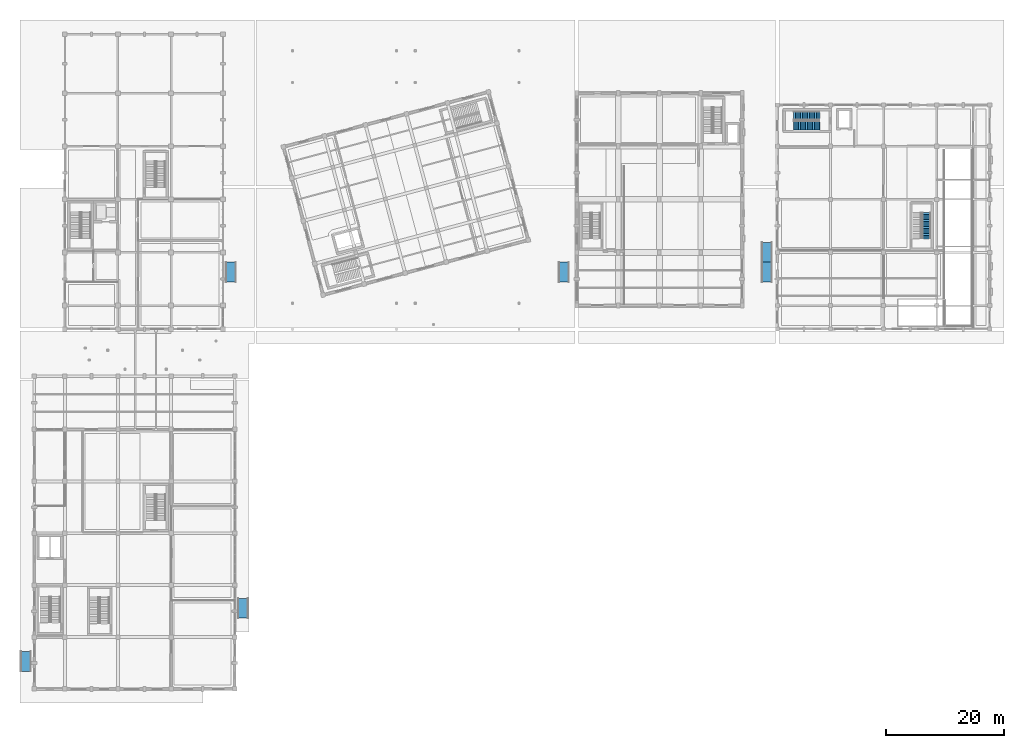
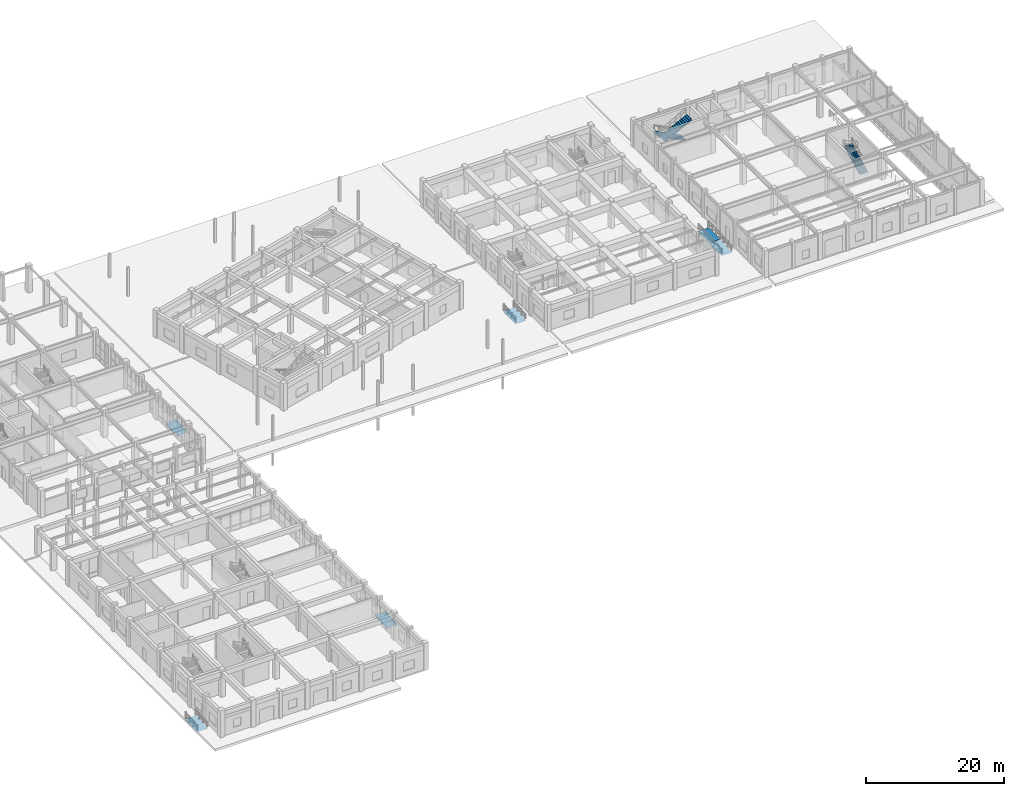
# One storey, part 42 of 47: 6 ramp flights, 3 stair flights, 8 elements without a shape of their own.
"""IFC4 building model written with IfcOpenShell, lengths in metres."""

from ifc_helpers import new_model, si_unit, direction, frame, origin, place, context, subcontext, project, spatial, polyline, outline, extrude, material, layer, layer_set, type_object, element, aggregate, save


model = new_model("IFC4")

# Units and contexts
model_context = context("Model", 3, precision=1e-05, world=origin(), true_north=direction((0.0, 1.0)))
body_context = subcontext(model_context, "Body", "Model", "MODEL_VIEW")
ifc_project = project(units=[si_unit("LENGTHUNIT", "METRE"), si_unit("AREAUNIT", "SQUARE_METRE"), si_unit("VOLUMEUNIT", "CUBIC_METRE"), si_unit("PLANEANGLEUNIT", "RADIAN"), si_unit("MASSUNIT", "GRAM", prefix="KILO")], contexts=[model_context])

# Site, building, storey
site_placement = place(None, origin())
site = spatial("IfcSite", under=ifc_project, at=site_placement, CompositionType="ELEMENT")
building_placement = place(site_placement, origin())
building = spatial("IfcBuilding", under=site, at=building_placement, Name="Ventoquebrada Cableway Terminal", CompositionType="ELEMENT")
storey_placement = place(building_placement, origin())
storey = spatial("IfcBuildingStorey", under=building, at=storey_placement, Name="L00", CompositionType="ELEMENT", Elevation=0.0)

# Stair, stair flights
ifc_material = material(Name="Concrete C40/50", Category="concrete")
stair_type_1 = type_object("IfcStairType", Name="ST-T09", PredefinedType="HALF_TURN_STAIR", material=ifc_material)
stair_1_placement = place(storey_placement, origin())
stair_1 = element("IfcStair", 1, at=stair_1_placement, inside=storey, type_object=stair_type_1, Name="Protected half-turn stair ST-26", PredefinedType="HALF_TURN_STAIR")
stair_flight_type_1 = type_object("IfcStairFlightType", Name="SF-T09", PredefinedType="STRAIGHT", material=ifc_material)
stair_flight_1_placement = place(storey_placement, frame((136.199951171875, 100.25, 0.0), z_axis=(0.0, 0.0, 1.0), x_axis=(-1.0, 0.0, 0.0)))
stair_flight_1 = element("IfcStairFlight", 2, at=stair_flight_1_placement, type_object=stair_flight_type_1, Name="Lower stair flight SF-051", NumberOfRisers=16, NumberOfTreads=15, PredefinedType="STRAIGHT", RiserHeight=0.15, TreadLength=0.3, context=body_context, shape_type="SweptSolid", body=[
    extrude(outline(polyline([(0.0, 0.0), (0.0, 0.14990234375), (0.296630859375, 0.14990234375), (0.296630859375, 0.300048828125), (0.59326171875, 0.300048828125), (0.59326171875, 0.449951171875), (0.889892578125, 0.449951171875), (0.889892578125, 0.60009765625), (1.186767578125, 0.60009765625), (1.186767578125, 0.75), (1.4833984375, 0.75), (1.4833984375, 0.89990234375), (1.780029296875, 0.89990234375), (1.780029296875, 1.050048828125), (2.07666015625, 1.050048828125), (2.07666015625, 1.199951171875), (2.373291015625, 1.199951171875), (2.373291015625, 1.35009765625), (2.669921875, 1.35009765625), (2.669921875, 1.5), (2.966552734375, 1.5), (2.966552734375, 1.64990234375), (3.263427734375, 1.64990234375), (3.263427734375, 1.800048828125), (3.56005859375, 1.800048828125), (3.56005859375, 1.949951171875), (3.856689453125, 1.949951171875), (3.856689453125, 2.10009765625), (4.1533203125, 2.10009765625), (4.1533203125, 2.25), (4.449951171875, 2.25), (4.449951171875, 2.39990234375), (4.5, 2.39990234375), (4.5, 2.0263671875), (0.447021484375, 0.0), (0.0, 0.0)])), frame((0.0, 0.699951171875, 0.0), z_axis=(0.0, -1.0, 0.0), x_axis=(1.0, 0.0, 0.0)), (0.0, 0.0, 1.0), 1.39990234375),
])
stair_flight_2_placement = place(storey_placement, frame((131.699951171875, 98.489990234375, 2.39990234375), z_axis=(0.0, 0.0, 1.0), x_axis=(1.0, 0.0, 0.0)))
stair_flight_2 = element("IfcStairFlight", 3, at=stair_flight_2_placement, type_object=stair_flight_type_1, Name="Upper stair flight SF-052", NumberOfRisers=16, NumberOfTreads=15, PredefinedType="STRAIGHT", RiserHeight=0.15, TreadLength=0.3, context=body_context, shape_type="SweptSolid", body=[
    extrude(outline(polyline([(0.0, 0.0), (0.0, 0.14990234375), (0.296630859375, 0.14990234375), (0.296630859375, 0.300048828125), (0.59326171875, 0.300048828125), (0.59326171875, 0.449951171875), (0.889892578125, 0.449951171875), (0.889892578125, 0.60009765625), (1.186767578125, 0.60009765625), (1.186767578125, 0.75), (1.4833984375, 0.75), (1.4833984375, 0.89990234375), (1.780029296875, 0.89990234375), (1.780029296875, 1.050048828125), (2.07666015625, 1.050048828125), (2.07666015625, 1.199951171875), (2.373291015625, 1.199951171875), (2.373291015625, 1.35009765625), (2.669921875, 1.35009765625), (2.669921875, 1.5), (2.966552734375, 1.5), (2.966552734375, 1.64990234375), (3.263427734375, 1.64990234375), (3.263427734375, 1.800048828125), (3.56005859375, 1.800048828125), (3.56005859375, 1.949951171875), (3.856689453125, 1.949951171875), (3.856689453125, 2.10009765625), (4.1533203125, 2.10009765625), (4.1533203125, 2.25), (4.449951171875, 2.25), (4.449951171875, 2.39990234375), (4.5, 2.39990234375), (4.5, 2.0263671875), (0.447021484375, 0.0), (0.0, 0.0)])), frame((0.0, 0.699951171875, 0.0), z_axis=(0.0, -1.0, 0.0), x_axis=(1.0, 0.0, 0.0)), (0.0, 0.0, 1.0), 1.39990234375),
])
aggregate(stair_1, [stair_flight_1, stair_flight_2])

# Stair, stair flight
stair_type_2 = type_object("IfcStairType", Name="ST-T10", PredefinedType="HALF_TURN_STAIR", material=ifc_material)
stair_2_placement = place(storey_placement, origin())
stair_2 = element("IfcStair", 4, at=stair_2_placement, inside=storey, type_object=stair_type_2, Name="Protected half-turn stair ST-27", PredefinedType="HALF_TURN_STAIR")
stair_flight_type_2 = type_object("IfcStairFlightType", Name="SF-T10", PredefinedType="STRAIGHT", material=ifc_material)
stair_flight_3_placement = place(storey_placement, frame((154.324951171875, 79.300048828125, 0.0), z_axis=(0.0, 0.0, 1.0), x_axis=(0.0, 1.0, 0.0)))
stair_flight_3 = element("IfcStairFlight", 5, at=stair_flight_3_placement, type_object=stair_flight_type_2, Name="Lower stair flight SF-053", NumberOfRisers=16, NumberOfTreads=15, PredefinedType="STRAIGHT", RiserHeight=0.15, TreadLength=0.3, context=body_context, shape_type="SweptSolid", body=[
    extrude(outline(polyline([(0.0, 0.0), (0.0, 0.14990234375), (0.296630859375, 0.14990234375), (0.296630859375, 0.300048828125), (0.59326171875, 0.300048828125), (0.59326171875, 0.449951171875), (0.889892578125, 0.449951171875), (0.889892578125, 0.60009765625), (1.186767578125, 0.60009765625), (1.186767578125, 0.75), (1.4833984375, 0.75), (1.4833984375, 0.89990234375), (1.780029296875, 0.89990234375), (1.780029296875, 1.050048828125), (2.07666015625, 1.050048828125), (2.07666015625, 1.199951171875), (2.373291015625, 1.199951171875), (2.373291015625, 1.35009765625), (2.669921875, 1.35009765625), (2.669921875, 1.5), (2.966552734375, 1.5), (2.966552734375, 1.64990234375), (3.263427734375, 1.64990234375), (3.263427734375, 1.800048828125), (3.56005859375, 1.800048828125), (3.56005859375, 1.949951171875), (3.856689453125, 1.949951171875), (3.856689453125, 2.10009765625), (4.1533203125, 2.10009765625), (4.1533203125, 2.25), (4.449951171875, 2.25), (4.449951171875, 2.39990234375), (4.5, 2.39990234375), (4.5, 2.0263671875), (0.447021484375, 0.0), (0.0, 0.0)])), frame((0.0, 0.675048828125, 0.0), z_axis=(0.0, -1.0, 0.0), x_axis=(1.0, 0.0, 0.0)), (0.0, 0.0, 1.0), 1.35009765625),
])
aggregate(stair_2, [stair_flight_3])

# Ramp, ramp flight
ramp_type = type_object("IfcRampType", Name="RM-PD01", PredefinedType="STRAIGHT_RUN_RAMP", material=ifc_material)
ramp_1_placement = place(storey_placement, origin())
ramp_1 = element("IfcRamp", 6, at=ramp_1_placement, inside=storey, type_object=ramp_type, Name="Accessible plaza ramp RM-02", PredefinedType="STRAIGHT_RUN_RAMP")
ifc_layer = layer(ifc_material, 0.239990234375)
ifc_layer_set = layer_set([ifc_layer], Name="Concrete C40/50")
ramp_flight_type = type_object("IfcRampFlightType", Name="RF-PD01", PredefinedType="STRAIGHT", material=ifc_layer_set)
ramp_flight_1_placement = place(storey_placement, frame((1.60009765625, 6.0, -0.280029296875), z_axis=(0.0, 0.0, 1.0), x_axis=(0.0, 1.0, 0.0)))
ramp_flight_1 = element("IfcRampFlight", 7, at=ramp_flight_1_placement, type_object=ramp_flight_type, Name="Accessible ramp flight R2", PredefinedType="STRAIGHT", context=body_context, shape_type="SweptSolid", body=[
    extrude(outline(polyline([(0.0, 0.0), (0.840087890625, 0.0), (3.360107421875, 0.0400390625), (3.360107421875, 0.280029296875), (0.0, 0.0)])), frame((0.0, 0.89990234375, 0.0), z_axis=(0.0, -1.0, 0.0), x_axis=(1.0, 0.0, 0.0)), (0.0, 0.0, 1.0), 1.800048828125),
])
aggregate(ramp_1, [ramp_flight_1])

ramp_2_placement = place(storey_placement, origin())
ramp_2 = element("IfcRamp", 8, at=ramp_2_placement, inside=storey, type_object=ramp_type, Name="Accessible plaza ramp RM-03", PredefinedType="STRAIGHT_RUN_RAMP")
ramp_flight_2_placement = place(storey_placement, frame((38.39990234375, 15.0, -0.280029296875), z_axis=(0.0, 0.0, 1.0), x_axis=(0.0, 1.0, 0.0)))
ramp_flight_2 = element("IfcRampFlight", 9, at=ramp_flight_2_placement, type_object=ramp_flight_type, Name="Accessible ramp flight R3", PredefinedType="STRAIGHT", context=body_context, shape_type="SweptSolid", body=[
    extrude(outline(polyline([(0.0, 0.0), (0.840087890625, 0.0), (3.360107421875, 0.0400390625), (3.360107421875, 0.280029296875), (0.0, 0.0)])), frame((0.0, 0.89990234375, 0.0), z_axis=(0.0, -1.0, 0.0), x_axis=(1.0, 0.0, 0.0)), (0.0, 0.0, 1.0), 1.800048828125),
])
aggregate(ramp_2, [ramp_flight_2])

ramp_3_placement = place(storey_placement, origin())
ramp_3 = element("IfcRamp", 10, at=ramp_3_placement, inside=storey, type_object=ramp_type, Name="Accessible plaza ramp RM-04", PredefinedType="STRAIGHT_RUN_RAMP")
ramp_flight_3_placement = place(storey_placement, frame((36.35009765625, 72.0, -0.280029296875), z_axis=(0.0, 0.0, 1.0), x_axis=(0.0, 1.0, 0.0)))
ramp_flight_3 = element("IfcRampFlight", 11, at=ramp_flight_3_placement, type_object=ramp_flight_type, Name="Accessible ramp flight R4", PredefinedType="STRAIGHT", context=body_context, shape_type="SweptSolid", body=[
    extrude(outline(polyline([(0.0, 0.0), (0.840087890625, 0.0), (3.360107421875, 0.0400390625), (3.360107421875, 0.280029296875), (0.0, 0.0)])), frame((0.0, 0.89990234375, 0.0), z_axis=(0.0, -1.0, 0.0), x_axis=(1.0, 0.0, 0.0)), (0.0, 0.0, 1.0), 1.800048828125),
])
aggregate(ramp_3, [ramp_flight_3])

ramp_4_placement = place(storey_placement, origin())
ramp_4 = element("IfcRamp", 12, at=ramp_4_placement, inside=storey, type_object=ramp_type, Name="Accessible plaza ramp RM-05", PredefinedType="STRAIGHT_RUN_RAMP")
ramp_flight_4_placement = place(storey_placement, frame((92.800048828125, 72.0, -0.280029296875), z_axis=(0.0, 0.0, 1.0), x_axis=(0.0, 1.0, 0.0)))
ramp_flight_4 = element("IfcRampFlight", 13, at=ramp_flight_4_placement, type_object=ramp_flight_type, Name="Accessible ramp flight R5", PredefinedType="STRAIGHT", context=body_context, shape_type="SweptSolid", body=[
    extrude(outline(polyline([(0.0, 0.0), (0.840087890625, 0.0), (3.360107421875, 0.0400390625), (3.360107421875, 0.280029296875), (0.0, 0.0)])), frame((0.0, 0.89990234375, 0.0), z_axis=(0.0, -1.0, 0.0), x_axis=(1.0, 0.0, 0.0)), (0.0, 0.0, 1.0), 1.800048828125),
])
aggregate(ramp_4, [ramp_flight_4])

ramp_5_placement = place(storey_placement, origin())
ramp_5 = element("IfcRamp", 14, at=ramp_5_placement, inside=storey, type_object=ramp_type, Name="Accessible plaza ramp RM-06", PredefinedType="STRAIGHT_RUN_RAMP")
ramp_flight_5_placement = place(storey_placement, frame((127.199951171875, 72.0, -0.280029296875), z_axis=(0.0, 0.0, 1.0), x_axis=(0.0, 1.0, 0.0)))
ramp_flight_5 = element("IfcRampFlight", 15, at=ramp_flight_5_placement, type_object=ramp_flight_type, Name="Accessible ramp flight R6", PredefinedType="STRAIGHT", context=body_context, shape_type="SweptSolid", body=[
    extrude(outline(polyline([(0.0, 0.0), (0.840087890625, 0.0), (3.360107421875, 0.0400390625), (3.360107421875, 0.280029296875), (0.0, 0.0)])), frame((0.0, 0.89990234375, 0.0), z_axis=(0.0, -1.0, 0.0), x_axis=(1.0, 0.0, 0.0)), (0.0, 0.0, 1.0), 1.800048828125),
])
aggregate(ramp_5, [ramp_flight_5])

ramp_6_placement = place(storey_placement, origin())
ramp_6 = element("IfcRamp", 16, at=ramp_6_placement, inside=storey, type_object=ramp_type, Name="Accessible plaza ramp RM-07", PredefinedType="STRAIGHT_RUN_RAMP")
ramp_flight_6_placement = place(storey_placement, frame((127.199951171875, 75.360107421875, 0.0), z_axis=(0.0, 0.0, 1.0), x_axis=(0.0, 1.0, 0.0)))
ramp_flight_6 = element("IfcRampFlight", 17, at=ramp_flight_6_placement, type_object=ramp_flight_type, Name="Accessible ramp flight R6B", PredefinedType="STRAIGHT", context=body_context, shape_type="SweptSolid", body=[
    extrude(outline(polyline([(0.0, 0.0), (3.360107421875, 0.0), (3.360107421875, -0.239990234375), (0.0, -0.239990234375), (0.0, 0.0)])), frame((0.0, 0.89990234375, 0.0), z_axis=(0.0, -1.0, 0.0), x_axis=(1.0, 0.0, 0.0)), (0.0, 0.0, 1.0), 1.800048828125),
])
aggregate(ramp_6, [ramp_flight_6])

save(model, "model.ifc")
